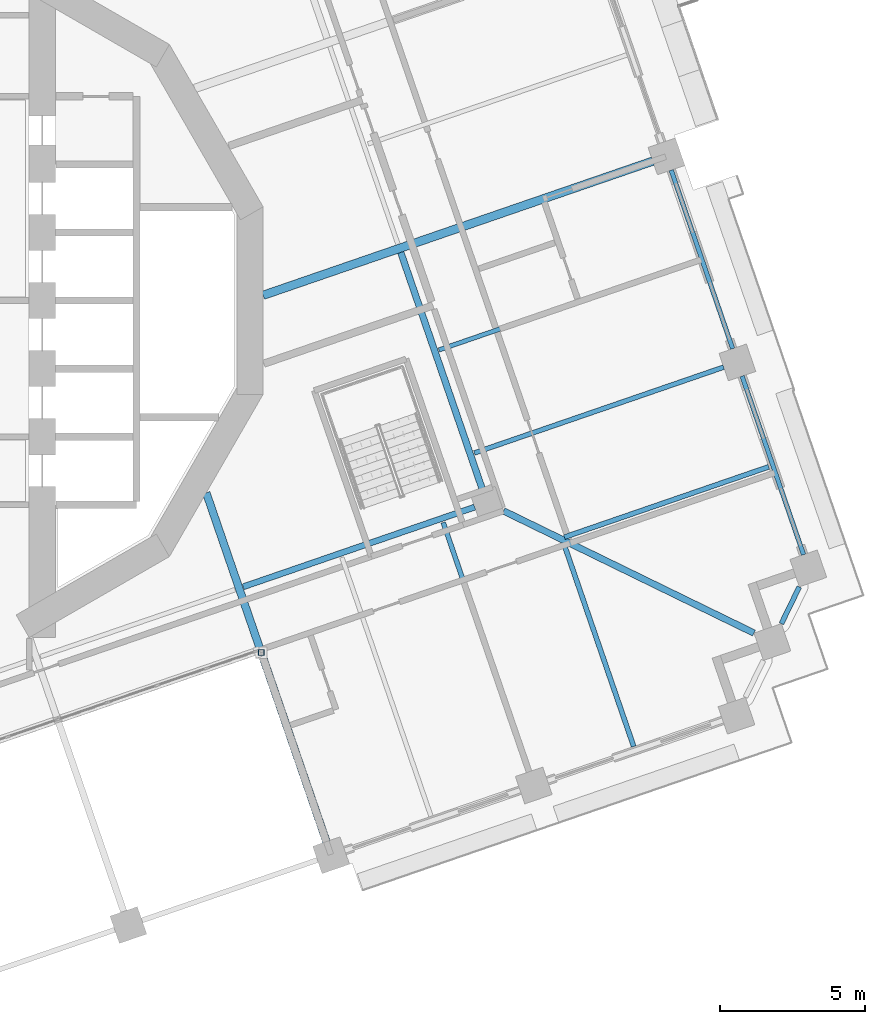
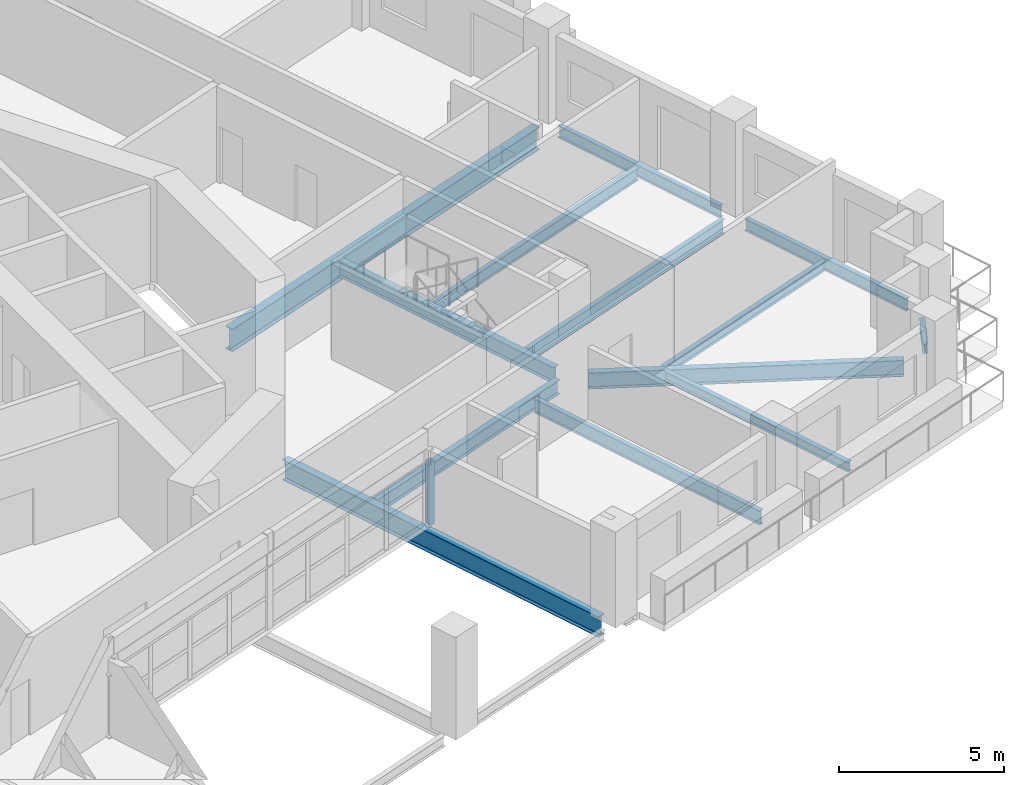
# One storey, part 5 of 22: 13 beams, 1 member.
"""IFC4 building model written with IfcOpenShell, lengths in metres."""

import ifcopenshell
import ifcopenshell.guid

model = None  # the IFC model being written
_history = None  # IfcOwnerHistory: only IFC2X3 demands one
_inside = {}  # id of a spatial element -> (the spatial element, [elements in it])
_under = {}  # id of a project, library or spatial element -> (it, [spatial elements below it])
_declared = {}  # id of a project -> (the project, [libraries it declares])
_typed = {}  # id of a type object -> (the type object, [elements of that type])
_made_of = {}  # id of a material, layer set ... -> (it, [elements and type objects made of it])


def new_model(schema):
    """Start an empty IFC model of exactly this schema.

    Asked for "IFC4X3", IfcOpenShell would pick the latest addendum, in which some entities
    have other attributes; the version numbers below select the first issue.
    IFC2X3 requires an IfcOwnerHistory on every rooted entity: one is made here for all.
    """
    global model, _history
    if schema == "IFC4X3":
        model = ifcopenshell.file(schema_version=(4, 3, 0, 0))
    else:
        model = ifcopenshell.file(schema=schema)
    _inside.clear()
    _under.clear()
    _declared.clear()
    _typed.clear()
    _made_of.clear()
    _history = None
    if model.schema == "IFC2X3":
        org = make("IfcOrganization", Name="unknown")
        user = make(
            "IfcPersonAndOrganization",
            ThePerson=make("IfcPerson", FamilyName="unknown"),
            TheOrganization=org,
        )
        app = make(
            "IfcApplication",
            ApplicationDeveloper=org,
            Version="unknown",
            ApplicationFullName="unknown",
            ApplicationIdentifier="unknown",
        )
        _history = make(
            "IfcOwnerHistory",
            OwningUser=user,
            OwningApplication=app,
            ChangeAction="ADDED",
            CreationDate=0,
        )
    return model


def make(cls, **values):
    """One entity of the class cls with the attributes given. An attribute that is None is left unset."""
    return model.create_entity(
        cls, **{name: value for name, value in values.items() if value is not None}
    )


def rooted(cls, **values):
    """An entity with a GlobalId (a new one), such as an element, a storey or a relation."""
    return make(cls, GlobalId=ifcopenshell.guid.new(), OwnerHistory=_history, **values)


def si_unit(unit_type, name, prefix=None):
    """IfcSIUnit, for example si_unit("LENGTHUNIT", "METRE", prefix="MILLI")."""
    return make("IfcSIUnit", UnitType=unit_type, Prefix=prefix, Name=name)


def assignment(units):
    """IfcUnitAssignment: the units of a project."""
    return None if units is None else make("IfcUnitAssignment", Units=units)


def point(xyz):
    """IfcCartesianPoint."""
    return None if xyz is None else make("IfcCartesianPoint", Coordinates=xyz)


def direction(xyz):
    """IfcDirection."""
    return None if xyz is None else make("IfcDirection", DirectionRatios=xyz)


def frame(location, z_axis=None, x_axis=None):
    """IfcAxis2Placement3D, a coordinate frame: its origin and axes. An axis left out is left unset."""
    return make(
        "IfcAxis2Placement3D",
        Location=point(location),
        Axis=direction(z_axis),
        RefDirection=direction(x_axis),
    )


def frame_2d(location, x_axis=None):
    """IfcAxis2Placement2D, a coordinate frame in the plane: its origin and x axis."""
    return make(
        "IfcAxis2Placement2D", Location=point(location), RefDirection=direction(x_axis)
    )


def origin():
    """The frame at (0, 0, 0) with its axes left unset."""
    return frame((0.0, 0.0, 0.0))


def origin_2d():
    """The frame at (0, 0) in the plane with its x axis left unset."""
    return frame_2d((0.0, 0.0))


def place(relative_to, where):
    """IfcLocalPlacement: puts the frame where relative to a parent placement (None: the world)."""
    return make(
        "IfcLocalPlacement", PlacementRelTo=relative_to, RelativePlacement=where
    )


def context(
    kind, dimensions, precision=None, world=None, true_north=None, identifier=None
):
    """IfcGeometricRepresentationContext, for example the 3D "Model" context."""
    return make(
        "IfcGeometricRepresentationContext",
        ContextIdentifier=identifier,
        ContextType=kind,
        CoordinateSpaceDimension=dimensions,
        Precision=precision,
        WorldCoordinateSystem=world,
        TrueNorth=true_north,
    )


def subcontext(parent, identifier, kind, view, scale=None):
    """IfcGeometricRepresentationSubContext, for example "Body" below "Model"."""
    return make(
        "IfcGeometricRepresentationSubContext",
        ContextIdentifier=identifier,
        ContextType=kind,
        ParentContext=parent,
        TargetScale=scale,
        TargetView=view,
    )


def project(units=None, contexts=None):
    """IfcProject with its units and contexts."""
    return rooted(
        "IfcProject",
        Name="project",
        RepresentationContexts=contexts,
        UnitsInContext=assignment(units),
    )


def spatial(cls, under=None, at=None, **own):
    """A site, building, storey or space (cls), placed at a placement, below another one or the project."""
    s = rooted(cls, ObjectPlacement=at, **own)
    if under is not None:
        _under.setdefault(under.id(), (under, []))[1].append(s)
    return s


def profile(cls, at=None, kind="AREA", **sizes):
    """A parametric profile (cls). Its sizes go by their IFC names, for example OverallWidth=200.0."""
    return make(cls, ProfileType=kind, Position=at, **sizes)


def hollow_rectangle(**sizes):
    """IfcRectangleHollowProfileDef."""
    return profile("IfcRectangleHollowProfileDef", **sizes)


def i_section(**sizes):
    """IfcIShapeProfileDef."""
    return profile("IfcIShapeProfileDef", **sizes)


def extrude(swept, where, along, depth):
    """IfcExtrudedAreaSolid: the profile swept, set in the frame where, extruded along a direction by depth."""
    return make(
        "IfcExtrudedAreaSolid",
        SweptArea=swept,
        Position=where,
        ExtrudedDirection=direction(along),
        Depth=depth,
    )


def shape(context_of_items, identifier, shape_type, items):
    """IfcShapeRepresentation: the items that make up one representation, for example the "Body"."""
    return make(
        "IfcShapeRepresentation",
        ContextOfItems=context_of_items,
        RepresentationIdentifier=identifier,
        RepresentationType=shape_type,
        Items=items,
    )


def material(Name=None, Category=None):
    """IfcMaterial."""
    return make("IfcMaterial", Name=Name, Category=Category)


def material_profile(
    of_material, cross_section, Name=None, Category=None, Priority=None
):
    """IfcMaterialProfile: a cross section and its material."""
    return make(
        "IfcMaterialProfile",
        Name=Name,
        Material=of_material,
        Profile=cross_section,
        Priority=Priority,
        Category=Category,
    )


def profile_set(profiles, Name=None, composite=None):
    """IfcMaterialProfileSet."""
    return make(
        "IfcMaterialProfileSet",
        Name=Name,
        MaterialProfiles=profiles,
        CompositeProfile=composite,
    )


def made_of(thing, what):
    """Note that an element or type object is made of a material, layer set ...; save() writes the relation."""
    if what is not None:
        _made_of.setdefault(what.id(), (what, []))[1].append(thing)
    return thing


def type_object(cls, material=None, **own):
    """A type object (cls), such as IfcWallType, which elements share."""
    return made_of(rooted(cls, **own), material)


def element(
    cls,
    number,
    at=None,
    inside=None,
    cuts=None,
    type_object=None,
    material=None,
    context=None,
    identifier="Body",
    shape_type=None,
    held_by="IfcProductDefinitionShape",
    body=None,
    shapes=None,
    **own,
):
    """One element of the class cls, such as IfcWall. Its Tag is "e" and its number.

    at: its placement. inside: the storey or other place that contains it. cuts: it is an
    opening in that element (IfcRelVoidsElement). A single representation is given by context,
    identifier, shape_type and body (its items); several are given by shapes. held_by: the class
    of the entity that holds the representations. save() writes the other relations.
    """
    e = rooted(cls, Tag="e%d" % number, ObjectPlacement=at, **own)
    if body is not None:
        shapes = [shape(context, identifier, shape_type, body)]
    if shapes is not None:
        e.Representation = make(held_by, Representations=shapes)
    if inside is not None:
        _inside.setdefault(inside.id(), (inside, []))[1].append(e)
    if cuts is not None:
        rooted(
            "IfcRelVoidsElement", RelatingBuildingElement=cuts, RelatedOpeningElement=e
        )
    if type_object is not None:
        _typed.setdefault(type_object.id(), (type_object, []))[1].append(e)
    return made_of(e, material)


def aggregate(whole, parts):
    """IfcRelAggregates: a whole, such as a stair, and the parts it consists of."""
    return rooted("IfcRelAggregates", RelatingObject=whole, RelatedObjects=parts)


def save(model, path):
    """Write the relations noted so far, then the file.

    IfcRelAggregates (storeys below a building ...), IfcRelContainedInSpatialStructure (elements
    in a storey), IfcRelDefinesByType, IfcRelAssociatesMaterial and IfcRelDeclares: one each for
    every whole, place, type object, material and project.
    """
    for whole, parts in _under.values():
        aggregate(whole, parts)
    for where, things in _inside.values():
        rooted(
            "IfcRelContainedInSpatialStructure",
            RelatedElements=things,
            RelatingStructure=where,
        )
    for kind, things in _typed.values():
        rooted("IfcRelDefinesByType", RelatedObjects=things, RelatingType=kind)
    for what, things in _made_of.values():
        rooted("IfcRelAssociatesMaterial", RelatedObjects=things, RelatingMaterial=what)
    for by, libraries in _declared.values():
        rooted("IfcRelDeclares", RelatingContext=by, RelatedDefinitions=libraries)
    model.write(path)


model = new_model("IFC4")

# Units and contexts
model_context = context("Model", 3, precision=1e-05, world=origin(), true_north=direction((0.0, 1.0)))
body_context = subcontext(model_context, "Body", "Model", "MODEL_VIEW")
ifc_project = project(units=[si_unit("LENGTHUNIT", "METRE"), si_unit("AREAUNIT", "SQUARE_METRE"), si_unit("VOLUMEUNIT", "CUBIC_METRE"), si_unit("PLANEANGLEUNIT", "RADIAN"), si_unit("MASSUNIT", "GRAM", prefix="KILO")], contexts=[model_context])

# Site, building, storey
site_placement = place(None, origin())
site = spatial("IfcSite", under=ifc_project, at=site_placement, CompositionType="ELEMENT")
building_placement = place(site_placement, origin())
building = spatial("IfcBuilding", under=site, at=building_placement, Name="Cantera Rosa Tower", CompositionType="ELEMENT")
storey_placement = place(building_placement, frame((0.0, 0.0, 104.10009765625)))
storey = spatial("IfcBuildingStorey", under=building, at=storey_placement, Name="L20", CompositionType="ELEMENT", Elevation=104.10009765625)

# Member
ifc_material_1 = material(Name="Steel ASTM A992 (Fy 345 MPa)", Category="steel")
ifc_material_profile_1 = material_profile(ifc_material_1, hollow_rectangle(XDim=0.199951171875, YDim=0.199951171875, WallThickness=0.010009765625, at=origin_2d()), Name="LINTEL POST RHS 200x200x10")
ifc_profile_set_1 = profile_set([ifc_material_profile_1], Name="Steel ASTM A992 (Fy 345 MPa)")
member_type = type_object("IfcMemberType", Name="LINTEL POST RHS 200x200x10", PredefinedType="USERDEFINED", material=ifc_profile_set_1)
member_placement = place(storey_placement, frame((12.010498046875, -12.15185546875, 0.0), z_axis=(0.0, 0.0, 1.0), x_axis=(1.0, 0.0, 0.0)))
element("IfcMember", 1, at=member_placement, inside=storey, type_object=member_type, Name="LINTEL POST L20-2", ObjectType="LINTEL POST", PredefinedType="USERDEFINED", context=body_context, shape_type="SweptSolid", body=[
    extrude(hollow_rectangle(XDim=0.199951171875, YDim=0.199951171875, WallThickness=0.010009765625, at=origin_2d()), origin(), (0.0, 0.0, 1.0), 2.33984375),
])

# Beams
ifc_material_2 = material(Name="Steel ASTM A992 (Fy 345 MPa)", Category="steel")
ifc_material_profile_2 = material_profile(ifc_material_2, i_section(OverallWidth=0.166015625, OverallDepth=0.528076171875, WebThickness=0.009765625, FlangeThickness=0.013671875, FilletRadius=0.0126953125, at=origin_2d()), Name="W530X74")
ifc_profile_set_2 = profile_set([ifc_material_profile_2], Name="Steel ASTM A992 (Fy 345 MPa)")
beam_type_1 = type_object("IfcBeamType", Name="STEEL BEAM W530X74", PredefinedType="BEAM", material=ifc_profile_set_2)
for number, where, z_axis, x_axis, name in (
    (2, (27.97216796875, -2.29833984375, -0.51416015625), (-0.94551971591, -0.325564842737, 0.0), (0.325564842737, -0.94551971591, 0.0), "G-Z2-01 L20"),
    (3, (21.25390625, -16.2666015625, -0.51416015625), (-0.325564842737, 0.94551971591, 0.0), (-0.94551971591, -0.325564842737, 0.0), "G-Z2-14 L20"),
):
    element("IfcBeam", number, at=place(storey_placement, frame(where, z_axis=z_axis, x_axis=x_axis)), inside=storey, type_object=beam_type_1, Name=name, PredefinedType="BEAM", context=body_context, shape_type="SweptSolid", body=[
        extrude(i_section(OverallWidth=0.166015625, OverallDepth=0.528076171875, WebThickness=0.009765625, FlangeThickness=0.013671875, FilletRadius=0.0126953125, at=origin_2d()), origin(), (0.0, 0.0, 1.0), 9.10009765625),
    ])
ifc_material_3 = material(Name="Steel ASTM A992 (Fy 345 MPa)", Category="steel")
ifc_material_profile_3 = material_profile(ifc_material_3, i_section(OverallWidth=0.208984375, OverallDepth=0.532958984375, WebThickness=0.01025390625, FlangeThickness=0.015625, FilletRadius=0.0126953125, at=origin_2d()), Name="W530X92")
ifc_profile_set_3 = profile_set([ifc_material_profile_3], Name="Steel ASTM A992 (Fy 345 MPa)")
beam_type_2 = type_object("IfcBeamType", Name="STEEL BEAM W530X92", PredefinedType="BEAM", material=ifc_profile_set_3)
beam_1_placement = place(storey_placement, frame((11.387451171875, -9.880859375, -0.5166015625), z_axis=(0.945519653071, 0.325565025235, 0.0), x_axis=(-0.325565025235, 0.945519653071, 0.0)))
element("IfcBeam", 4, at=beam_1_placement, inside=storey, type_object=beam_type_2, Name="RB-Z2-08 L20", PredefinedType="BEAM", context=body_context, shape_type="SweptSolid", body=[
    extrude(i_section(OverallWidth=0.208984375, OverallDepth=0.532958984375, WebThickness=0.01025390625, FlangeThickness=0.015625, FilletRadius=0.0126953125, at=origin_2d()), origin(), (0.0, 0.0, 1.0), 8.449951171875),
])
ifc_material_4 = material(Name="Steel ASTM A992 (Fy 345 MPa)", Category="steel")
ifc_material_profile_4 = material_profile(ifc_material_4, i_section(OverallWidth=0.22802734375, OverallDepth=0.60205078125, WebThickness=0.010498046875, FlangeThickness=0.014892578125, FilletRadius=0.0126953125, at=origin_2d()), Name="W610X101")
ifc_profile_set_4 = profile_set([ifc_material_profile_4], Name="Steel ASTM A992 (Fy 345 MPa)")
beam_type_3 = type_object("IfcBeamType", Name="STEEL BEAM W610X101", PredefinedType="BEAM", material=ifc_profile_set_4)
beam_2_placement = place(storey_placement, frame((29.017822265625, -11.47802734375, -0.551025390625), z_axis=(-0.898796015179, 0.438367109965, 0.0), x_axis=(-0.438367109965, -0.898796015179, 0.0)))
element("IfcBeam", 5, at=beam_2_placement, inside=storey, type_object=beam_type_3, Name="CB-Z2-04 L20", PredefinedType="BEAM", context=body_context, shape_type="SweptSolid", body=[
    extrude(i_section(OverallWidth=0.22802734375, OverallDepth=0.60205078125, WebThickness=0.010498046875, FlangeThickness=0.014892578125, FilletRadius=0.0126953125, at=origin_2d()), origin(), (0.0, 0.0, 1.0), 9.616455078125),
])
beam_3_placement = place(storey_placement, frame((19.656005859375, -6.557861328125, -0.551025390625), z_axis=(-0.325584584945, 0.945512917969, 0.0), x_axis=(-0.945512917969, -0.325584584945, 0.0)))
element("IfcBeam", 6, at=beam_3_placement, inside=storey, type_object=beam_type_3, Name="RB-Z2-09 L20", PredefinedType="BEAM", context=body_context, shape_type="SweptSolid", body=[
    extrude(i_section(OverallWidth=0.22802734375, OverallDepth=0.60205078125, WebThickness=0.010498046875, FlangeThickness=0.014892578125, FilletRadius=0.0126953125, at=origin_2d()), origin(), (0.0, 0.0, 1.0), 8.68994140625),
])
ifc_material_5 = material(Name="Steel ASTM A992 (Fy 345 MPa)", Category="steel")
ifc_material_profile_5 = material_profile(ifc_material_5, i_section(OverallWidth=0.26708984375, OverallDepth=0.75390625, WebThickness=0.01318359375, FlangeThickness=0.01708984375, FilletRadius=0.0166015625, at=origin_2d()), Name="W760X147")
ifc_profile_set_5 = profile_set([ifc_material_profile_5], Name="Steel ASTM A992 (Fy 345 MPa)")
beam_type_4 = type_object("IfcBeamType", Name="STEEL BEAM W760X147", PredefinedType="BEAM", material=ifc_profile_set_5)
beam_4_placement = place(storey_placement, frame((14.257080078125, -18.67578125, -0.627197265625), z_axis=(-0.325575880476, 0.945515915282, 0.0), x_axis=(-0.945515915282, -0.325575880476, 0.0)))
element("IfcBeam", 7, at=beam_4_placement, inside=storey, type_object=beam_type_4, Name="G-Z2-13 L20", PredefinedType="BEAM", context=body_context, shape_type="SweptSolid", body=[
    extrude(i_section(OverallWidth=0.26708984375, OverallDepth=0.75390625, WebThickness=0.01318359375, FlangeThickness=0.01708984375, FilletRadius=0.0166015625, at=origin_2d()), origin(), (0.0, 0.0, 1.0), 12.734375),
])
ifc_material_6 = material(Name="Steel ASTM A992 (Fy 345 MPa)", Category="steel")
ifc_material_profile_6 = material_profile(ifc_material_6, i_section(OverallWidth=0.2919921875, OverallDepth=0.8359375, WebThickness=0.013916015625, FlangeThickness=0.018798828125, FilletRadius=0.017822265625, at=origin_2d()), Name="W840X176")
ifc_profile_set_6 = profile_set([ifc_material_profile_6], Name="Steel ASTM A992 (Fy 345 MPa)")
beam_type_5 = type_object("IfcBeamType", Name="STEEL BEAM W840X176", PredefinedType="BEAM", material=ifc_profile_set_6)
beam_5_placement = place(storey_placement, frame((25.52392578125, 4.81201171875, -0.668212890625), z_axis=(-0.945515154884, -0.325578088765, 0.0), x_axis=(0.325578088765, -0.945515154884, 0.0)))
element("IfcBeam", 8, at=beam_5_placement, inside=storey, type_object=beam_type_5, Name="G-Z2-02 L20", PredefinedType="BEAM", context=body_context, shape_type="SweptSolid", body=[
    extrude(i_section(OverallWidth=0.2919921875, OverallDepth=0.8359375, WebThickness=0.013916015625, FlangeThickness=0.018798828125, FilletRadius=0.017822265625, at=origin_2d()), origin(), (0.0, 0.0, 1.0), 14.22509765625),
])
ifc_material_7 = material(Name="Steel ASTM A992 (Fy 345 MPa)", Category="steel")
ifc_material_profile_7 = material_profile(ifc_material_7, i_section(OverallWidth=0.1708984375, OverallDepth=0.35595703125, WebThickness=0.00732421875, FlangeThickness=0.01171875, FilletRadius=0.010009765625, at=origin_2d()), Name="W360X51")
ifc_profile_set_7 = profile_set([ifc_material_profile_7], Name="Steel ASTM A992 (Fy 345 MPa)")
beam_type_6 = type_object("IfcBeamType", Name="STEEL JOIST W360X51", PredefinedType="JOIST", material=ifc_profile_set_7)
beam_6_placement = place(storey_placement, frame((29.52734375, -5.739501953125, -0.427978515625), z_axis=(-0.945521732807, -0.325558985116, 0.0), x_axis=(0.325558985116, -0.945521732807, 0.0)))
element("IfcBeam", 9, at=beam_6_placement, inside=storey, type_object=beam_type_6, Name="B-Z2-01 L20", PredefinedType="JOIST", context=body_context, shape_type="SweptSolid", body=[
    extrude(i_section(OverallWidth=0.1708984375, OverallDepth=0.35595703125, WebThickness=0.00732421875, FlangeThickness=0.01171875, FilletRadius=0.010009765625, at=origin_2d()), origin(), (0.0, 0.0, 1.0), 7.460205078125),
])
beam_7_placement = place(storey_placement, frame((24.8662109375, -15.39306640625, -0.427978515625), z_axis=(-0.325565645331, 0.945519439557, 0.0), x_axis=(-0.945519439557, -0.325565645331, 0.0)))
element("IfcBeam", 10, at=beam_7_placement, inside=storey, type_object=beam_type_6, Name="B-Z2-17 L20", PredefinedType="JOIST", context=body_context, shape_type="SweptSolid", body=[
    extrude(i_section(OverallWidth=0.1708984375, OverallDepth=0.35595703125, WebThickness=0.00732421875, FlangeThickness=0.01171875, FilletRadius=0.010009765625, at=origin_2d()), origin(), (0.0, 0.0, 1.0), 7.39990234375),
])
ifc_material_8 = material(Name="Steel ASTM A992 (Fy 345 MPa)", Category="steel")
ifc_material_profile_8 = material_profile(ifc_material_8, i_section(OverallWidth=0.154052734375, OverallDepth=0.4599609375, WebThickness=0.009033203125, FlangeThickness=0.015380859375, FilletRadius=0.01025390625, at=origin_2d()), Name="W460X68")
ifc_profile_set_8 = profile_set([ifc_material_profile_8], Name="Steel ASTM A992 (Fy 345 MPa)")
beam_type_7 = type_object("IfcBeamType", Name="STEEL JOIST W460X68", PredefinedType="JOIST", material=ifc_profile_set_8)
beam_8_placement = place(storey_placement, frame((27.0791015625, 1.370849609375, -0.47998046875), z_axis=(-0.945518943957, -0.325567084667, 0.0), x_axis=(0.325567084667, -0.945518943957, 0.0)))
element("IfcBeam", 11, at=beam_8_placement, inside=storey, type_object=beam_type_7, Name="B-Z2-02 L20", PredefinedType="JOIST", context=body_context, shape_type="SweptSolid", body=[
    extrude(i_section(OverallWidth=0.154052734375, OverallDepth=0.4599609375, WebThickness=0.009033203125, FlangeThickness=0.015380859375, FilletRadius=0.01025390625, at=origin_2d()), origin(), (0.0, 0.0, 1.0), 9.4501953125),
])
ifc_material_9 = material(Name="Steel ASTM A992 (Fy 345 MPa)", Category="steel")
ifc_material_profile_9 = material_profile(ifc_material_9, i_section(OverallWidth=0.1708984375, OverallDepth=0.35595703125, WebThickness=0.00732421875, FlangeThickness=0.01171875, FilletRadius=0.010009765625, at=origin_2d()), Name="W360X51")
ifc_profile_set_9 = profile_set([ifc_material_profile_9], Name="Steel ASTM A992 (Fy 345 MPa)")
beam_type_8 = type_object("IfcBeamType", Name="STEEL SPANDREL BEAM W360X51", PredefinedType="SPANDREL", material=ifc_profile_set_9)
beam_9_placement = place(storey_placement, frame((29.96337890625, -11.152587890625, -0.427978515625), z_axis=(0.438284186308, 0.898836454552, 0.0), x_axis=(-0.898836454552, 0.438284186308, 0.0)))
element("IfcBeam", 12, at=beam_9_placement, inside=storey, type_object=beam_type_8, Name="EB-Z2-30 L20", PredefinedType="SPANDREL", context=body_context, shape_type="SweptSolid", body=[
    extrude(i_section(OverallWidth=0.1708984375, OverallDepth=0.35595703125, WebThickness=0.00732421875, FlangeThickness=0.01171875, FilletRadius=0.010009765625, at=origin_2d()), origin(), (0.0, 0.0, 1.0), 1.414306640625),
])
ifc_material_10 = material(Name="Steel ASTM A992 (Fy 345 MPa)", Category="steel")
ifc_material_profile_10 = material_profile(ifc_material_10, i_section(OverallWidth=0.154052734375, OverallDepth=0.4599609375, WebThickness=0.009033203125, FlangeThickness=0.015380859375, FilletRadius=0.01025390625, at=origin_2d()), Name="W460X68")
ifc_profile_set_10 = profile_set([ifc_material_profile_10], Name="Steel ASTM A992 (Fy 345 MPa)")
beam_type_9 = type_object("IfcBeamType", Name="STEEL SPANDREL BEAM W460X68", PredefinedType="SPANDREL", material=ifc_profile_set_10)
for number, where, z_axis, x_axis, name in (
    (13, (30.73046875, -8.773193359375, -0.47998046875), (-0.325580990241, 0.945514155787, 0.0), (-0.945514155787, -0.325580990241, 0.0), "EB-Z2-01 L20"),
    (14, (28.2822265625, -1.662841796875, -0.47998046875), (-0.325580990241, 0.945514155787, 0.0), (-0.945514155787, -0.325580990241, 0.0), "EB-Z2-02 L20"),
):
    element("IfcBeam", number, at=place(storey_placement, frame(where, z_axis=z_axis, x_axis=x_axis)), inside=storey, type_object=beam_type_9, Name=name, PredefinedType="SPANDREL", context=body_context, shape_type="SweptSolid", body=[
        extrude(i_section(OverallWidth=0.154052734375, OverallDepth=0.4599609375, WebThickness=0.009033203125, FlangeThickness=0.015380859375, FilletRadius=0.01025390625, at=origin_2d()), origin(), (0.0, 0.0, 1.0), 6.52001953125),
    ])

save(model, "model.ifc")
